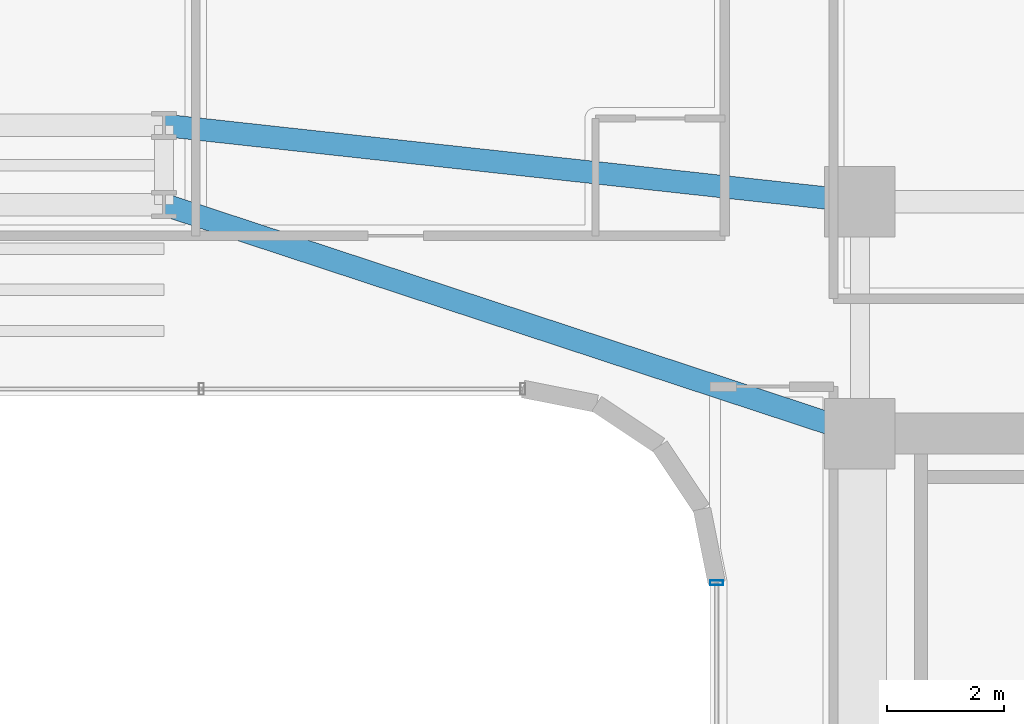
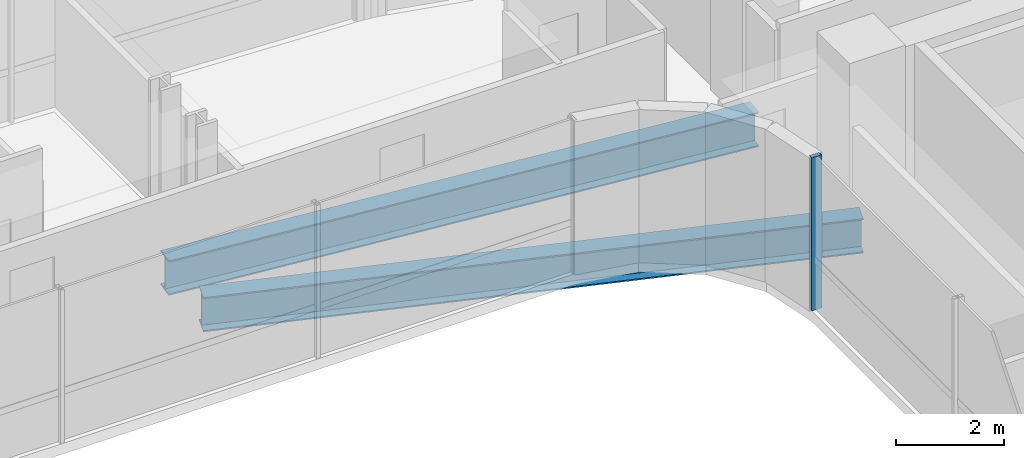
# One storey, part 16 of 35: 2 beams, 1 member, 1 element without a shape of its own.
"""IFC4 building model written with IfcOpenShell, lengths in metres."""

from ifc_helpers import new_model, si_unit, direction, frame, origin, origin_2d, place, context, subcontext, project, spatial, hollow_rectangle, i_section, extrude, source, transform, mapped, material, material_profile, profile_set, type_object, element, aggregate, save


model = new_model("IFC4")

# Units and contexts
model_context = context("Model", 3, precision=1e-05, world=origin(), true_north=direction((0.0, 1.0)))
body_context = subcontext(model_context, "Body", "Model", "MODEL_VIEW")
ifc_project = project(units=[si_unit("LENGTHUNIT", "METRE"), si_unit("AREAUNIT", "SQUARE_METRE"), si_unit("VOLUMEUNIT", "CUBIC_METRE"), si_unit("PLANEANGLEUNIT", "RADIAN"), si_unit("MASSUNIT", "GRAM", prefix="KILO")], contexts=[model_context])

# Site, building, storey
site_placement = place(None, origin())
site = spatial("IfcSite", under=ifc_project, at=site_placement, CompositionType="ELEMENT")
building_placement = place(site_placement, origin())
building = spatial("IfcBuilding", under=site, at=building_placement, Name="Valdorenza Pilgrim Sanctuary Tower", CompositionType="ELEMENT")
storey_placement = place(building_placement, frame((0.0, 0.0, 116.800048828125)))
storey = spatial("IfcBuildingStorey", under=building, at=storey_placement, Name="L29", CompositionType="ELEMENT", Elevation=116.800048828125)

# Beams
ifc_material_1 = material(Name="Steel ASTM A992 Grade 50", Category="steel")
ifc_material_profile_1 = material_profile(ifc_material_1, i_section(OverallWidth=0.382080078125, OverallDepth=0.779052734375, WebThickness=0.01806640625, FlangeThickness=0.030029296875, at=origin_2d()), Name="W30X191")
ifc_profile_set_1 = profile_set([ifc_material_profile_1], Name="Steel ASTM A992 Grade 50")
beam_type = type_object("IfcBeamType", Name="STR-BM-GRD-W30", PredefinedType="BEAM", material=ifc_profile_set_1)
shared_shape_1 = source(origin(), body_context, "Body", "SweptSolid", [
    extrude(i_section(OverallWidth=0.382080078125, OverallDepth=0.779052734375, WebThickness=0.01806640625, FlangeThickness=0.030029296875, at=origin_2d()), origin(), (0.0, 0.0, 1.0), 12.475341796875),
])
beam_1_placement = place(storey_placement, frame((4.0, 13.449951171875, -0.629638671875), z_axis=(0.949881908141, -0.312608957943, 0.0), x_axis=(0.312608957943, 0.949881908141, 0.0)))
element("IfcBeam", 1, at=beam_1_placement, inside=storey, type_object=beam_type, Name="L29 Floor Girder KNK-G3", PredefinedType="BEAM", context=body_context, shape_type="MappedRepresentation", body=[
    mapped(shared_shape_1, transform((0.0, 0.0, 0.0), x_axis=(1.0, 0.0, 0.0), y_axis=(0.0, 1.0, 0.0), z_axis=(0.0, 0.0, 1.0), scale=1.0)),
])
shared_shape_2 = source(origin(), body_context, "Body", "SweptSolid", [
    extrude(i_section(OverallWidth=0.382080078125, OverallDepth=0.779052734375, WebThickness=0.01806640625, FlangeThickness=0.030029296875, at=origin_2d()), origin(), (0.0, 0.0, 1.0), 11.921142578125),
])
beam_2_placement = place(storey_placement, frame((4.0, 14.800048828125, -0.629638671875), z_axis=(0.994035876607, -0.10905354656, 0.0), x_axis=(0.10905354656, 0.994035876607, 0.0)))
element("IfcBeam", 2, at=beam_2_placement, inside=storey, type_object=beam_type, Name="L29 Floor Girder KNK-G6", PredefinedType="BEAM", context=body_context, shape_type="MappedRepresentation", body=[
    mapped(shared_shape_2, transform((0.0, 0.0, 0.0), x_axis=(1.0, 0.0, 0.0), y_axis=(0.0, 1.0, 0.0), z_axis=(0.0, 0.0, 1.0), scale=1.0)),
])

# Curtain wall, member
ifc_material_2 = material(Name="Curtain-wall IGU glazing", Category="glass")
curtain_wall_type = type_object("IfcCurtainWallType", Name="CW-SYS-03", PredefinedType="NOTDEFINED", material=ifc_material_2)
curtain_wall_placement = place(storey_placement, origin())
curtain_wall = element("IfcCurtainWall", 3, at=curtain_wall_placement, inside=storey, type_object=curtain_wall_type, Name="L29 Curtain Wall CW-L29-1-31", PredefinedType="NOTDEFINED")
ifc_material_3 = material(Name="Anodised aluminium AW-6060", Category="aluminium")
ifc_material_profile_2 = material_profile(ifc_material_3, hollow_rectangle(XDim=0.0849609375, YDim=0.219970703125, WallThickness=0.0048828125, at=origin_2d()), Name="ALU-M 220x85x5")
ifc_profile_set_2 = profile_set([ifc_material_profile_2], Name="Anodised aluminium AW-6060")
member_type = type_object("IfcMemberType", Name="CW-MUL-03", PredefinedType="MULLION", material=ifc_profile_set_2)
shared_shape_3 = source(origin(), body_context, "Body", "SweptSolid", [
    extrude(hollow_rectangle(XDim=0.0849609375, YDim=0.219970703125, WallThickness=0.0048828125, at=origin_2d()), origin(), (0.0, 0.0, 1.0), 3.4599609375),
])
member_placement = place(storey_placement, frame((13.409912109375, 7.0107421875, 0.0), z_axis=(0.0, 0.0, 1.0), x_axis=(0.0, 1.0, 0.0)))
member = element("IfcMember", 4, at=member_placement, type_object=member_type, Name="CW-L29-1-31 Mullion 4", PredefinedType="MULLION", context=body_context, shape_type="MappedRepresentation", body=[
    mapped(shared_shape_3, transform((0.0, 0.0, 0.0), x_axis=(1.0, 0.0, 0.0), y_axis=(0.0, 1.0, 0.0), z_axis=(0.0, 0.0, 1.0), scale=1.0)),
])
aggregate(curtain_wall, [member])

save(model, "model.ifc")
